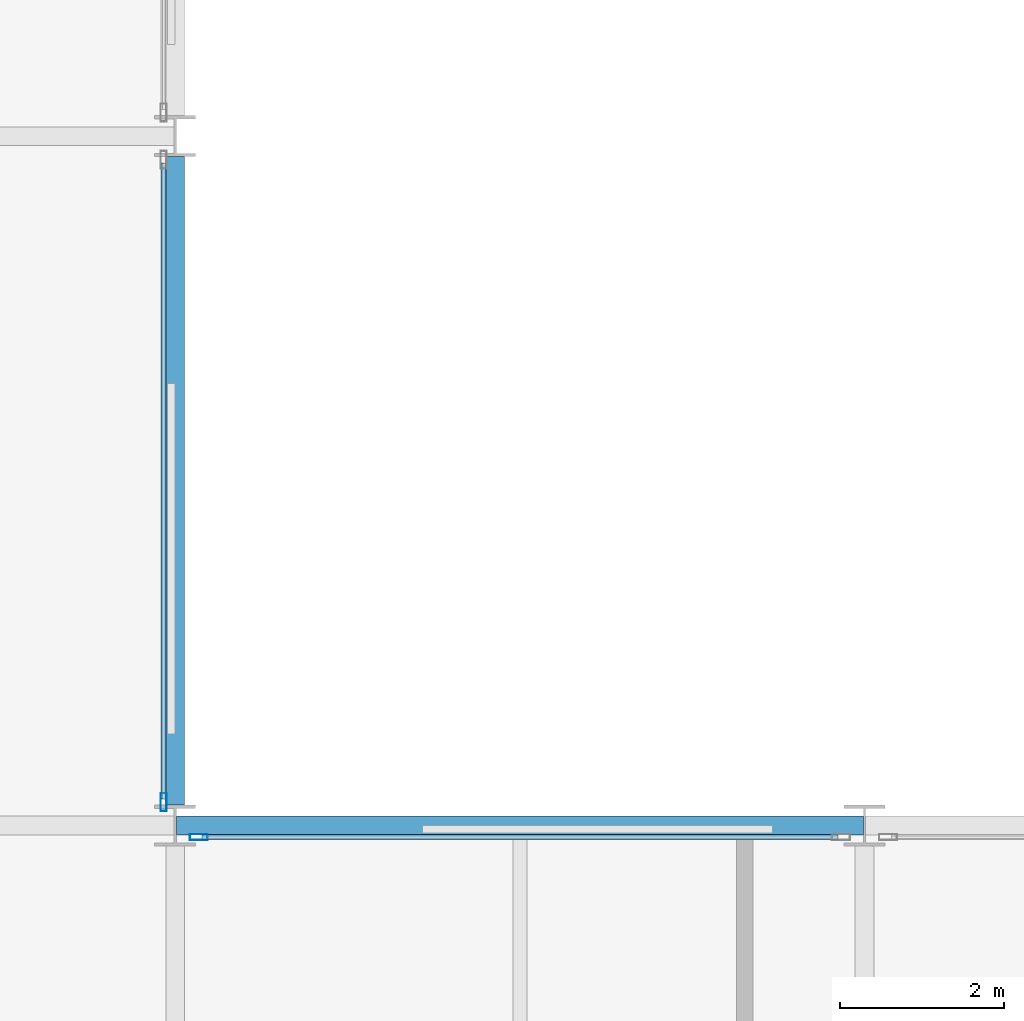
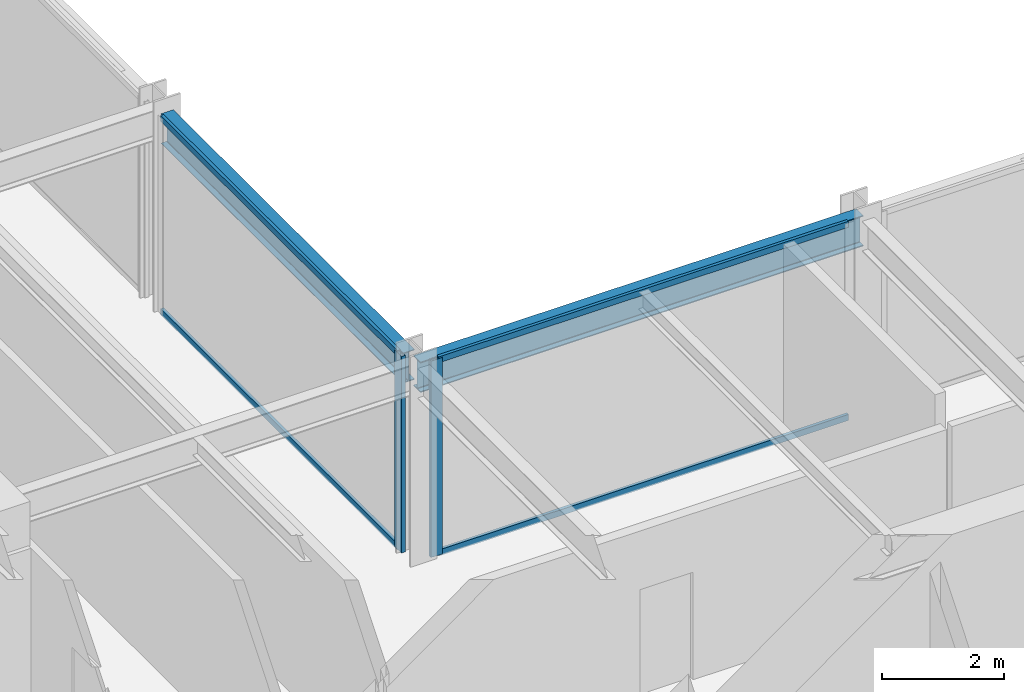
# One storey, part 10 of 26: 6 members, 2 beams, 2 elements without a shape of their own.
"""IFC4 building model written with IfcOpenShell, lengths in metres."""

from ifc_helpers import new_model, si_unit, direction, frame, origin, origin_2d, place, context, subcontext, project, spatial, hollow_rectangle, i_section, extrude, material, layer, layer_set, material_profile, profile_set, type_object, element, aggregate, save


model = new_model("IFC4")

# Units and contexts
model_context = context("Model", 3, precision=1e-05, world=origin(), true_north=direction((0.0, 1.0)))
body_context = subcontext(model_context, "Body", "Model", "MODEL_VIEW")
ifc_project = project(units=[si_unit("LENGTHUNIT", "METRE"), si_unit("AREAUNIT", "SQUARE_METRE"), si_unit("VOLUMEUNIT", "CUBIC_METRE"), si_unit("PLANEANGLEUNIT", "RADIAN"), si_unit("MASSUNIT", "GRAM", prefix="KILO")], contexts=[model_context])

# Site, building, storey
site_placement = place(None, origin())
site = spatial("IfcSite", under=ifc_project, at=site_placement, CompositionType="ELEMENT")
building_placement = place(site_placement, origin())
building = spatial("IfcBuilding", under=site, at=building_placement, Name="Nerrivon Quay Data Exchange", CompositionType="ELEMENT")
storey_placement = place(building_placement, frame((0.0, 0.0, 71.0)))
storey = spatial("IfcBuildingStorey", under=building, at=storey_placement, Name="L16", CompositionType="ELEMENT", Elevation=71.0)

# Beams
ifc_material_1 = material(Name="Steel Grade 350", Category="steel")
ifc_material_profile_1 = material_profile(ifc_material_1, i_section(OverallWidth=0.22900390625, OverallDepth=0.612060546875, WebThickness=0.011962890625, FlangeThickness=0.01953125, FilletRadius=0.013916015625, at=origin_2d()), Name="610UB125")
ifc_profile_set_1 = profile_set([ifc_material_profile_1], Name="Steel Grade 350")
beam_type_1 = type_object("IfcBeamType", Name="BM-G1-610UB125", PredefinedType="BEAM", material=ifc_profile_set_1)
beam_1_placement = place(storey_placement, frame((25.214111328125, 25.199951171875, 3.618896484375), z_axis=(1.0, 0.0, 0.0), x_axis=(0.0, 1.0, 0.0)))
element("IfcBeam", 1, at=beam_1_placement, inside=storey, type_object=beam_type_1, Name="L16 EW Girder Y=25.2 (25.2..33.6)", PredefinedType="BEAM", context=body_context, shape_type="SweptSolid", body=[
    extrude(i_section(OverallWidth=0.22900390625, OverallDepth=0.612060546875, WebThickness=0.011962890625, FlangeThickness=0.01953125, FilletRadius=0.013916015625, at=origin_2d()), origin(), (0.0, 0.0, 1.0), 8.371826171875),
])
ifc_material_profile_2 = material_profile(ifc_material_1, i_section(OverallWidth=0.22802734375, OverallDepth=0.60205078125, WebThickness=0.010498046875, FlangeThickness=0.014892578125, FilletRadius=0.013916015625, at=origin_2d()), Name="610UB101")
ifc_profile_set_2 = profile_set([ifc_material_profile_2], Name="Steel Grade 350")
beam_type_2 = type_object("IfcBeamType", Name="BM-G2-610UB101", PredefinedType="BEAM", material=ifc_profile_set_2)
beam_2_placement = place(storey_placement, frame((25.199951171875, 25.449951171875, 3.6240234375), z_axis=(0.0, 1.0, 0.0), x_axis=(-1.0, 0.0, 0.0)))
element("IfcBeam", 2, at=beam_2_placement, inside=storey, type_object=beam_type_2, Name="L16 NS Girder X=25.2 (25.2..33.6)", PredefinedType="BEAM", context=body_context, shape_type="SweptSolid", body=[
    extrude(i_section(OverallWidth=0.22802734375, OverallDepth=0.60205078125, WebThickness=0.010498046875, FlangeThickness=0.014892578125, FilletRadius=0.013916015625, at=origin_2d()), origin(), (0.0, 0.0, 1.0), 7.900146484375),
])

# Curtain wall, member
ifc_material_2 = material(Name="Anodised aluminium 6063-T6", Category="aluminium")
ifc_layer = layer(ifc_material_2, 0.219970703125)
ifc_layer_set = layer_set([ifc_layer], Name="Anodised aluminium 6063-T6")
curtain_wall_type = type_object("IfcCurtainWallType", Name="CW-SYS-01", PredefinedType="NOTDEFINED", material=ifc_layer_set)
curtain_wall_1_placement = place(storey_placement, origin())
curtain_wall_1 = element("IfcCurtainWall", 3, at=curtain_wall_1_placement, inside=storey, type_object=curtain_wall_type, Name="L16 Unitised Curtain Wall 31", PredefinedType="NOTDEFINED")
ifc_material_profile_3 = material_profile(ifc_material_2, hollow_rectangle(XDim=0.074951171875, YDim=0.219970703125, WallThickness=0.00390625, at=origin_2d()), Name="ALU-MULL-220x75")
ifc_profile_set_3 = profile_set([ifc_material_profile_3], Name="Anodised aluminium 6063-T6")
member_type_1 = type_object("IfcMemberType", Name="CWM-220x75", PredefinedType="MULLION", material=ifc_profile_set_3)
member_1_placement = place(storey_placement, frame((25.06005859375, 25.487548828125, 0.0), z_axis=(0.0, 0.0, 1.0), x_axis=(1.0, 0.0, 0.0)))
member_1 = element("IfcMember", 4, at=member_1_placement, type_object=member_type_1, Name="CW01 mullion 2", PredefinedType="MULLION", context=body_context, shape_type="SweptSolid", body=[
    extrude(hollow_rectangle(XDim=0.074951171875, YDim=0.219970703125, WallThickness=0.00390625, at=origin_2d()), origin(), (0.0, 0.0, 1.0), 3.925048828125),
])

curtain_wall_2_placement = place(storey_placement, origin())
curtain_wall_2 = element("IfcCurtainWall", 5, at=curtain_wall_2_placement, inside=storey, type_object=curtain_wall_type, Name="L16 Unitised Curtain Wall 32", PredefinedType="NOTDEFINED")
member_2_placement = place(storey_placement, frame((25.487548828125, 25.06005859375, 0.0), z_axis=(0.0, 0.0, 1.0), x_axis=(0.0, 1.0, 0.0)))
member_2 = element("IfcMember", 6, at=member_2_placement, type_object=member_type_1, Name="CW01 mullion 1", PredefinedType="MULLION", context=body_context, shape_type="SweptSolid", body=[
    extrude(hollow_rectangle(XDim=0.074951171875, YDim=0.219970703125, WallThickness=0.00390625, at=origin_2d()), origin(), (0.0, 0.0, 1.0), 3.925048828125),
])

# Member
ifc_material_profile_4 = material_profile(ifc_material_2, hollow_rectangle(XDim=0.06005859375, YDim=0.1201171875, WallThickness=0.003173828125, at=origin_2d()), Name="ALU-TRAN-120x60")
ifc_profile_set_4 = profile_set([ifc_material_profile_4], Name="Anodised aluminium 6063-T6")
member_type_2 = type_object("IfcMemberType", Name="CWT-120x60", PredefinedType="USERDEFINED", material=ifc_profile_set_4)
member_3_placement = place(storey_placement, frame((25.06005859375, 33.27490234375, 0.032470703125), z_axis=(0.0, -1.0, 0.0), x_axis=(1.0, 0.0, 0.0)))
member_3 = element("IfcMember", 7, at=member_3_placement, type_object=member_type_2, Name="CW01 transom 1.1", ObjectType="TRANSOM", PredefinedType="USERDEFINED", context=body_context, shape_type="SweptSolid", body=[
    extrude(hollow_rectangle(XDim=0.06005859375, YDim=0.1201171875, WallThickness=0.003173828125, at=origin_2d()), origin(), (0.0, 0.0, 1.0), 7.75),
])

member_4_placement = place(storey_placement, frame((25.06005859375, 33.27490234375, 3.892578125), z_axis=(0.0, -1.0, 0.0), x_axis=(1.0, 0.0, 0.0)))
member_4 = element("IfcMember", 8, at=member_4_placement, type_object=member_type_2, Name="CW01 transom 1.2", ObjectType="TRANSOM", PredefinedType="USERDEFINED", context=body_context, shape_type="SweptSolid", body=[
    extrude(hollow_rectangle(XDim=0.06005859375, YDim=0.1201171875, WallThickness=0.003173828125, at=origin_2d()), origin(), (0.0, 0.0, 1.0), 7.75),
])

aggregate(curtain_wall_1, [member_1, member_3, member_4])

member_5_placement = place(storey_placement, frame((25.52490234375, 25.06005859375, 0.032470703125), z_axis=(1.0, 0.0, 0.0), x_axis=(0.0, 1.0, 0.0)))
member_5 = element("IfcMember", 9, at=member_5_placement, type_object=member_type_2, Name="CW01 transom 1.1", ObjectType="TRANSOM", PredefinedType="USERDEFINED", context=body_context, shape_type="SweptSolid", body=[
    extrude(hollow_rectangle(XDim=0.06005859375, YDim=0.1201171875, WallThickness=0.003173828125, at=origin_2d()), origin(), (0.0, 0.0, 1.0), 7.75),
])

member_6_placement = place(storey_placement, frame((25.52490234375, 25.06005859375, 3.892578125), z_axis=(1.0, 0.0, 0.0), x_axis=(0.0, 1.0, 0.0)))
member_6 = element("IfcMember", 10, at=member_6_placement, type_object=member_type_2, Name="CW01 transom 1.2", ObjectType="TRANSOM", PredefinedType="USERDEFINED", context=body_context, shape_type="SweptSolid", body=[
    extrude(hollow_rectangle(XDim=0.06005859375, YDim=0.1201171875, WallThickness=0.003173828125, at=origin_2d()), origin(), (0.0, 0.0, 1.0), 7.75),
])

aggregate(curtain_wall_2, [member_2, member_5, member_6])

save(model, "model.ifc")
